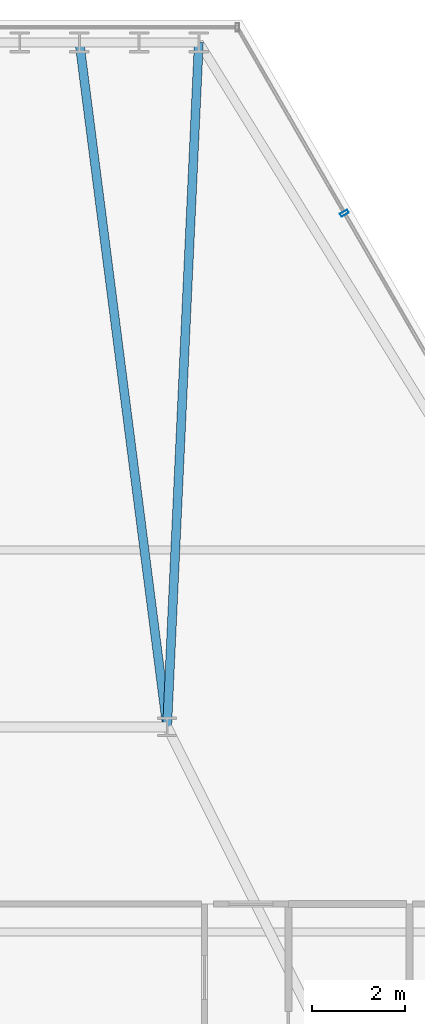
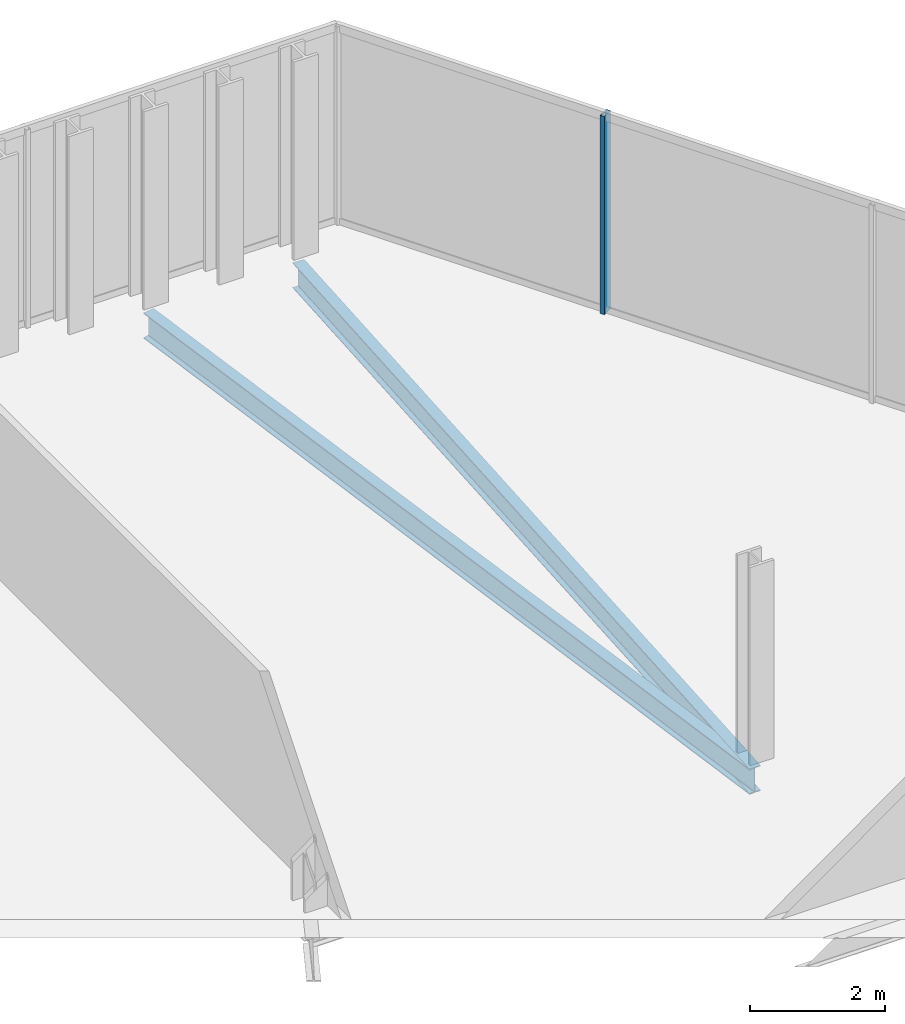
# One storey, part 23 of 33: 2 beams, 1 member, 1 element without a shape of its own.
"""IFC4 building model written with IfcOpenShell, lengths in metres."""

from ifc_helpers import new_model, si_unit, direction, frame, origin, origin_2d, place, context, subcontext, project, spatial, hollow_rectangle, i_section, extrude, material, layer, layer_set, material_profile, profile_set, type_object, element, aggregate, save


model = new_model("IFC4")

# Units and contexts
model_context = context("Model", 3, precision=1e-05, world=origin(), true_north=direction((0.0, 1.0)))
body_context = subcontext(model_context, "Body", "Model", "MODEL_VIEW")
ifc_project = project(units=[si_unit("LENGTHUNIT", "METRE"), si_unit("AREAUNIT", "SQUARE_METRE"), si_unit("VOLUMEUNIT", "CUBIC_METRE"), si_unit("PLANEANGLEUNIT", "RADIAN"), si_unit("MASSUNIT", "GRAM", prefix="KILO")], contexts=[model_context])

# Site, building, storey
site_placement = place(None, origin())
site = spatial("IfcSite", under=ifc_project, at=site_placement, CompositionType="ELEMENT")
building_placement = place(site_placement, origin())
building = spatial("IfcBuilding", under=site, at=building_placement, Name="Ndaravel Arena Tower", CompositionType="ELEMENT")
storey_placement = place(building_placement, frame((0.0, 0.0, 165.0)))
storey = spatial("IfcBuildingStorey", under=building, at=storey_placement, Name="L39", CompositionType="ELEMENT", Elevation=165.0)

# Beams
ifc_material_1 = material(Name="Steel S355", Category="steel")
ifc_material_profile_1 = material_profile(ifc_material_1, i_section(OverallWidth=0.19140625, OverallDepth=0.4599609375, WebThickness=0.010009765625, FlangeThickness=0.01611328125, FilletRadius=0.01025390625, at=origin_2d()), Name="UB 457x191x82")
ifc_profile_set_1 = profile_set([ifc_material_profile_1], Name="Steel S355")
beam_type = type_object("IfcBeamType", Name="BM-GIRD-UB457", PredefinedType="BEAM", material=ifc_profile_set_1)
beam_1_placement = place(storey_placement, frame((46.480224609375, 45.881591796875, -0.449951171875), z_axis=(-0.046278684807, -0.998928567683, 0.0), x_axis=(0.998928567683, -0.046278684807, 0.0)))
element("IfcBeam", 1, at=beam_1_placement, inside=storey, type_object=beam_type, Name="L39 Radial Floor Girder FG-11", PredefinedType="BEAM", context=body_context, shape_type="SweptSolid", body=[
    extrude(i_section(OverallWidth=0.19140625, OverallDepth=0.4599609375, WebThickness=0.010009765625, FlangeThickness=0.01611328125, FilletRadius=0.01025390625, at=origin_2d()), origin(), (0.0, 0.0, 1.0), 14.697509765625),
])
beam_2_placement = place(storey_placement, frame((43.920166015625, 45.881591796875, -0.449951171875), z_axis=(0.127006199429, -0.99190192323, 0.0), x_axis=(0.99190192323, 0.127006199429, 0.0)))
element("IfcBeam", 2, at=beam_2_placement, inside=storey, type_object=beam_type, Name="L39 Radial Floor Girder FG-13", PredefinedType="BEAM", context=body_context, shape_type="SweptSolid", body=[
    extrude(i_section(OverallWidth=0.19140625, OverallDepth=0.4599609375, WebThickness=0.010009765625, FlangeThickness=0.01611328125, FilletRadius=0.01025390625, at=origin_2d()), origin(), (0.0, 0.0, 1.0), 14.801513671875),
])

# Curtain wall, member
ifc_material_2 = material(Name="Aluminium", Category="aluminium")
ifc_layer = layer(ifc_material_2, 0.179931640625)
ifc_layer_set = layer_set([ifc_layer], Name="Aluminium")
curtain_wall_type = type_object("IfcCurtainWallType", Name="CW-SYS-03", PredefinedType="NOTDEFINED", material=ifc_layer_set)
curtain_wall_placement = place(storey_placement, origin())
curtain_wall = element("IfcCurtainWall", 3, at=curtain_wall_placement, inside=storey, type_object=curtain_wall_type, Name="L39 Faceted Crystal Curtain Wall CW-L39-E03", PredefinedType="NOTDEFINED")
ifc_material_3 = material(Name="Aluminium", Category="aluminium")
ifc_material_profile_2 = material_profile(ifc_material_3, hollow_rectangle(XDim=0.074951171875, YDim=0.179931640625, WallThickness=0.00390625, at=origin_2d()), Name="CW MULLION 75x180x4")
ifc_profile_set_2 = profile_set([ifc_material_profile_2], Name="Aluminium")
member_type = type_object("IfcMemberType", Name="MEM-CW-MUL180", PredefinedType="MULLION", material=ifc_profile_set_2)
member_placement = place(storey_placement, frame((49.603759765625, 42.219970703125, 0.0), z_axis=(0.0, 0.0, 1.0), x_axis=(-0.5, 0.866025403784, 0.0)))
member = element("IfcMember", 4, at=member_placement, type_object=member_type, Name="CW-L39-E03 Mullion 07", PredefinedType="MULLION", context=body_context, shape_type="SweptSolid", body=[
    extrude(hollow_rectangle(XDim=0.074951171875, YDim=0.179931640625, WallThickness=0.00390625, at=origin_2d()), origin(), (0.0, 0.0, 1.0), 3.580078125),
])
aggregate(curtain_wall, [member])

save(model, "model.ifc")
